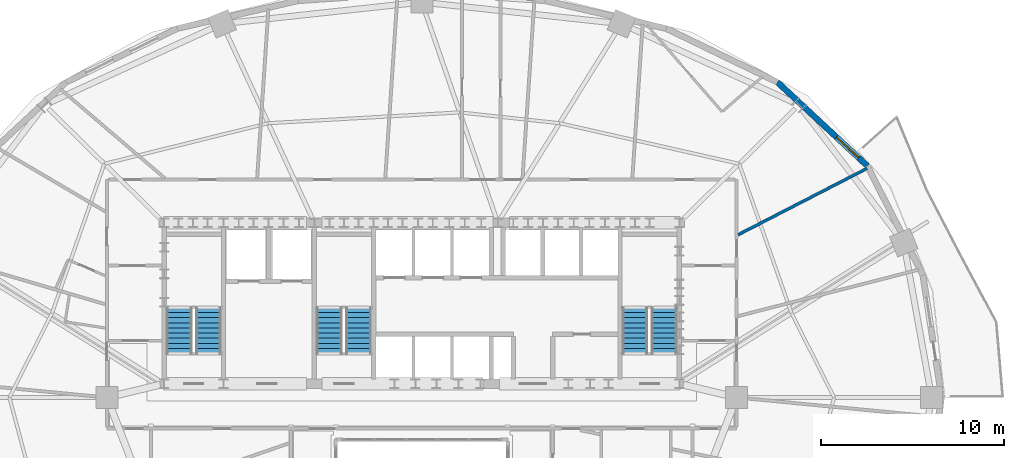
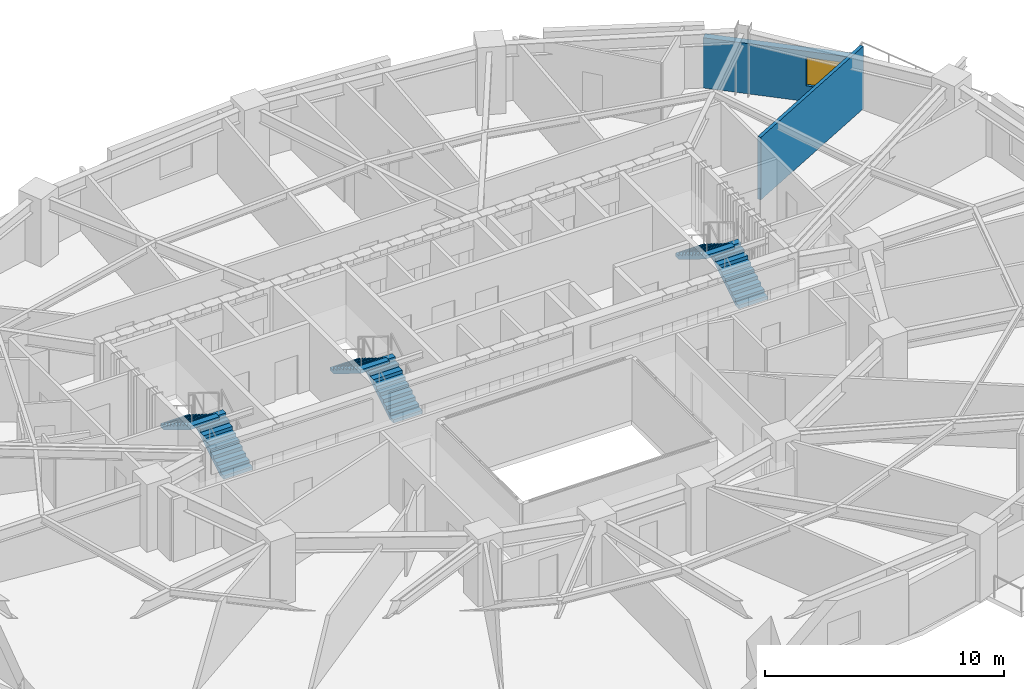
# One storey, part 11 of 14: 6 stair flights, 2 walls, 1 window, 1 opening, 3 elements without a shape of their own.
"""IFC4 building model written with IfcOpenShell, lengths in metres."""

from ifc_helpers import new_model, si_unit, direction, frame, frame_2d, origin, place, context, subcontext, project, spatial, polyline, rectangle, outline, extrude, material, layer, layer_set, type_object, element, fill, aggregate, save


model = new_model("IFC4")

# Units and contexts
model_context = context("Model", 3, precision=1e-05, world=origin(), true_north=direction((0.0, 1.0)))
body_context = subcontext(model_context, "Body", "Model", "MODEL_VIEW")
ifc_project = project(units=[si_unit("LENGTHUNIT", "METRE"), si_unit("AREAUNIT", "SQUARE_METRE"), si_unit("VOLUMEUNIT", "CUBIC_METRE"), si_unit("PLANEANGLEUNIT", "RADIAN"), si_unit("MASSUNIT", "GRAM", prefix="KILO")], contexts=[model_context])

# Site, building, storey
site_placement = place(None, origin())
site = spatial("IfcSite", under=ifc_project, at=site_placement, CompositionType="ELEMENT")
building_placement = place(site_placement, origin())
building = spatial("IfcBuilding", under=site, at=building_placement, Name="Haldorwick Loom Tower", CompositionType="ELEMENT")
storey_placement = place(building_placement, frame((0.0, 0.0, 99.050048828125)))
storey = spatial("IfcBuildingStorey", under=building, at=storey_placement, Name="L26", CompositionType="ELEMENT", Elevation=99.050048828125)

# Wall, opening, window
ifc_material_1 = material(Name="Pressed Clay Face Brick and Insulated Masonry Backup Assembly", Category="masonry")
ifc_layer_1 = layer(ifc_material_1, 0.320068359375, Name="Pressed Clay Face Brick and Insulated Masonry Backup Assembly", Category="masonry")
ifc_layer_set_1 = layer_set([ifc_layer_1], Name="Pressed Clay Face Brick and Insulated Masonry Backup Assembly")
wall_type_1 = type_object("IfcWallType", Name="ARC-WL-EXT320", PredefinedType="STANDARD", material=ifc_layer_set_1)
wall_1_placement = place(storey_placement, frame((60.338623046875, 38.655517578125, 0.0), z_axis=(0.0, 0.0, 1.0), x_axis=(-0.732137360086, 0.681157020052, 0.0)))
wall_1 = element("IfcWall", 1, at=wall_1_placement, inside=storey, type_object=wall_type_1, Name="L26 Brick Pier and Spandrel Wall 3", PredefinedType="STANDARD", context=body_context, shape_type="SweptSolid", body=[
    extrude(rectangle(XDim=6.709228515625, YDim=0.320068359375, at=frame_2d((3.3544921875, 0.0))), origin(), (0.0, 0.0, 1.0), 2.56884765625),
])
opening_placement = place(wall_1_placement, frame((0.639892578125, 0.0, 0.800048828125)))
opening = element("IfcOpeningElement", 2, at=opening_placement, cuts=wall_1, Name="Opening W-01B", PredefinedType="OPENING", context=body_context, shape_type="SweptSolid", body=[
    extrude(rectangle(XDim=1.64990234375, YDim=1.449951171875, at=frame_2d((0.824951171875, 0.72509765625))), frame((0.0, 0.169921875, 0.0), z_axis=(0.0, -1.0, 0.0), x_axis=(1.0, 0.0, 0.0)), (0.0, 0.0, 1.0), 0.340087890625),
])
ifc_material_2 = material(Name="Triple-Glazed Low-E Argon Insulated Glazing Unit", Category="glass")
window_type = type_object("IfcWindowType", Name="ARC-WIN-W165", PartitioningType="SINGLE_PANEL", PredefinedType="WINDOW", material=ifc_material_2)
window_placement = place(opening_placement, origin())
window = element("IfcWindow", 3, at=window_placement, inside=storey, type_object=window_type, Name="L26 Deep-Set Zone 7A Window 3", OverallHeight=1.449951171875, OverallWidth=1.64990234375, PartitioningType="SINGLE_PANEL", PredefinedType="WINDOW", context=body_context, shape_type="SweptSolid", body=[
    extrude(rectangle(XDim=1.64990234375, YDim=1.449951171875, at=frame_2d((0.824951171875, 0.72509765625))), frame((0.0, 0.030029296875, 0.0), z_axis=(0.0, -1.0, 0.0), x_axis=(1.0, 0.0, 0.0)), (0.0, 0.0, 1.0), 0.06005859375),
])
fill(opening, window)

# Wall
ifc_material_3 = material(Name="Fire-Rated Type X Gypsum Stud Assembly EI 60")
ifc_layer_2 = layer(ifc_material_3, 0.159912109375, Name="Fire-Rated Type X Gypsum Stud Assembly EI 60")
ifc_layer_set_2 = layer_set([ifc_layer_2], Name="Fire-Rated Type X Gypsum Stud Assembly EI 60")
wall_type_2 = type_object("IfcWallType", Name="ARC-WL-FIRE160", PredefinedType="PARTITIONING", material=ifc_layer_set_2)
wall_2_placement = place(storey_placement, frame((53.282958984375, 34.89111328125, 0.0), z_axis=(0.0, 0.0, 1.0), x_axis=(0.889233421812, 0.45745373704, 0.0)))
element("IfcWall", 4, at=wall_2_placement, inside=storey, type_object=wall_type_2, Name="L26 Suite Split Wall", PredefinedType="PARTITIONING", context=body_context, shape_type="SweptSolid", body=[
    extrude(rectangle(XDim=7.9306640625, YDim=0.159912109375, at=frame_2d((3.96533203125, 0.0))), origin(), (0.0, 0.0, 1.0), 3.195068359375),
])

# Stair, stair flights
ifc_material_4 = material(Name="Concrete C40 (40 MPa)", Category="concrete")
stair_type = type_object("IfcStairType", Name="STR-STR-CORE", PredefinedType="HALF_TURN_STAIR", material=ifc_material_4)
stair_1_placement = place(storey_placement, origin())
stair_1 = element("IfcStair", 5, at=stair_1_placement, inside=storey, type_object=stair_type, Name="L26 Exit Stair ST-01", PredefinedType="HALF_TURN_STAIR")
stair_flight_type = type_object("IfcStairFlightType", Name="STR-STF-1250", PredefinedType="STRAIGHT", material=ifc_material_4)
stair_flight_1_placement = place(storey_placement, frame((24.35009765625, 28.39990234375, 0.0), z_axis=(0.0, 0.0, 1.0), x_axis=(0.0, 1.0, 0.0)))
stair_flight_1 = element("IfcStairFlight", 6, at=stair_flight_1_placement, type_object=stair_flight_type, Name="ST-01 flight 1", NumberOfRisers=10, NumberOfTreads=9, PredefinedType="STRAIGHT", RiserHeight=0.1725, TreadLength=0.28, context=body_context, shape_type="SweptSolid", body=[
    extrude(outline(polyline([(0.0, 0.0), (0.0, 0.172607421875), (0.280029296875, 0.172607421875), (0.280029296875, 0.344970703125), (0.56005859375, 0.344970703125), (0.56005859375, 0.517578125), (0.840087890625, 0.517578125), (0.840087890625, 0.68994140625), (1.1201171875, 0.68994140625), (1.1201171875, 0.862548828125), (1.39990234375, 0.862548828125), (1.39990234375, 1.034912109375), (1.679931640625, 1.034912109375), (1.679931640625, 1.20751953125), (1.9599609375, 1.20751953125), (1.9599609375, 1.3798828125), (2.239990234375, 1.3798828125), (2.239990234375, 1.552490234375), (2.52001953125, 1.552490234375), (2.52001953125, 1.72509765625), (2.52001953125, 1.37646484375), (0.285888671875, 0.0), (0.0, 0.0)])), frame((0.0, 0.699951171875, 0.0), z_axis=(0.0, -1.0, 0.0), x_axis=(1.0, 0.0, 0.0)), (0.0, 0.0, 1.0), 1.39990234375),
])
stair_flight_2_placement = place(storey_placement, frame((22.75, 30.919921875, 1.724853515625), z_axis=(0.0, 0.0, 1.0), x_axis=(0.0, -1.0, 0.0)))
stair_flight_2 = element("IfcStairFlight", 7, at=stair_flight_2_placement, type_object=stair_flight_type, Name="ST-01 flight 2", NumberOfRisers=10, NumberOfTreads=9, PredefinedType="STRAIGHT", RiserHeight=0.1725, TreadLength=0.28, context=body_context, shape_type="SweptSolid", body=[
    extrude(outline(polyline([(0.0, 0.0), (0.0, 0.172607421875), (0.280029296875, 0.172607421875), (0.280029296875, 0.344970703125), (0.56005859375, 0.344970703125), (0.56005859375, 0.517578125), (0.840087890625, 0.517578125), (0.840087890625, 0.68994140625), (1.1201171875, 0.68994140625), (1.1201171875, 0.862548828125), (1.39990234375, 0.862548828125), (1.39990234375, 1.034912109375), (1.679931640625, 1.034912109375), (1.679931640625, 1.20751953125), (1.9599609375, 1.20751953125), (1.9599609375, 1.3798828125), (2.239990234375, 1.3798828125), (2.239990234375, 1.552490234375), (2.52001953125, 1.552490234375), (2.52001953125, 1.72509765625), (2.52001953125, 1.37646484375), (0.285888671875, 0.0), (0.0, 0.0)])), frame((0.0, 0.699951171875, 0.0), z_axis=(0.0, -1.0, 0.0), x_axis=(1.0, 0.0, 0.0)), (0.0, 0.0, 1.0), 1.39990234375),
])
aggregate(stair_1, [stair_flight_1, stair_flight_2])

stair_2_placement = place(storey_placement, origin())
stair_2 = element("IfcStair", 8, at=stair_2_placement, inside=storey, type_object=stair_type, Name="L26 Exit Stair ST-02", PredefinedType="HALF_TURN_STAIR")
stair_flight_3_placement = place(storey_placement, frame((49.25, 28.39990234375, 0.0), z_axis=(0.0, 0.0, 1.0), x_axis=(0.0, 1.0, 0.0)))
stair_flight_3 = element("IfcStairFlight", 9, at=stair_flight_3_placement, type_object=stair_flight_type, Name="ST-02 flight 1", NumberOfRisers=10, NumberOfTreads=9, PredefinedType="STRAIGHT", RiserHeight=0.1725, TreadLength=0.28, context=body_context, shape_type="SweptSolid", body=[
    extrude(outline(polyline([(0.0, 0.0), (0.0, 0.172607421875), (0.280029296875, 0.172607421875), (0.280029296875, 0.344970703125), (0.56005859375, 0.344970703125), (0.56005859375, 0.517578125), (0.840087890625, 0.517578125), (0.840087890625, 0.68994140625), (1.1201171875, 0.68994140625), (1.1201171875, 0.862548828125), (1.39990234375, 0.862548828125), (1.39990234375, 1.034912109375), (1.679931640625, 1.034912109375), (1.679931640625, 1.20751953125), (1.9599609375, 1.20751953125), (1.9599609375, 1.3798828125), (2.239990234375, 1.3798828125), (2.239990234375, 1.552490234375), (2.52001953125, 1.552490234375), (2.52001953125, 1.72509765625), (2.52001953125, 1.37646484375), (0.285888671875, 0.0), (0.0, 0.0)])), frame((0.0, 0.699951171875, 0.0), z_axis=(0.0, -1.0, 0.0), x_axis=(1.0, 0.0, 0.0)), (0.0, 0.0, 1.0), 1.39990234375),
])
stair_flight_4_placement = place(storey_placement, frame((47.64990234375, 30.919921875, 1.724853515625), z_axis=(0.0, 0.0, 1.0), x_axis=(0.0, -1.0, 0.0)))
stair_flight_4 = element("IfcStairFlight", 10, at=stair_flight_4_placement, type_object=stair_flight_type, Name="ST-02 flight 2", NumberOfRisers=10, NumberOfTreads=9, PredefinedType="STRAIGHT", RiserHeight=0.1725, TreadLength=0.28, context=body_context, shape_type="SweptSolid", body=[
    extrude(outline(polyline([(0.0, 0.0), (0.0, 0.172607421875), (0.280029296875, 0.172607421875), (0.280029296875, 0.344970703125), (0.56005859375, 0.344970703125), (0.56005859375, 0.517578125), (0.840087890625, 0.517578125), (0.840087890625, 0.68994140625), (1.1201171875, 0.68994140625), (1.1201171875, 0.862548828125), (1.39990234375, 0.862548828125), (1.39990234375, 1.034912109375), (1.679931640625, 1.034912109375), (1.679931640625, 1.20751953125), (1.9599609375, 1.20751953125), (1.9599609375, 1.3798828125), (2.239990234375, 1.3798828125), (2.239990234375, 1.552490234375), (2.52001953125, 1.552490234375), (2.52001953125, 1.72509765625), (2.52001953125, 1.37646484375), (0.285888671875, 0.0), (0.0, 0.0)])), frame((0.0, 0.699951171875, 0.0), z_axis=(0.0, -1.0, 0.0), x_axis=(1.0, 0.0, 0.0)), (0.0, 0.0, 1.0), 1.39990234375),
])
aggregate(stair_2, [stair_flight_3, stair_flight_4])

stair_3_placement = place(storey_placement, origin())
stair_3 = element("IfcStair", 11, at=stair_3_placement, inside=storey, type_object=stair_type, Name="L26 Exit Stair ST-03", PredefinedType="HALF_TURN_STAIR")
stair_flight_5_placement = place(storey_placement, frame((32.550048828125, 28.39990234375, 0.0), z_axis=(0.0, 0.0, 1.0), x_axis=(0.0, 1.0, 0.0)))
stair_flight_5 = element("IfcStairFlight", 12, at=stair_flight_5_placement, type_object=stair_flight_type, Name="ST-03 flight 1", NumberOfRisers=10, NumberOfTreads=9, PredefinedType="STRAIGHT", RiserHeight=0.1725, TreadLength=0.28, context=body_context, shape_type="SweptSolid", body=[
    extrude(outline(polyline([(0.0, 0.0), (0.0, 0.172607421875), (0.280029296875, 0.172607421875), (0.280029296875, 0.344970703125), (0.56005859375, 0.344970703125), (0.56005859375, 0.517578125), (0.840087890625, 0.517578125), (0.840087890625, 0.68994140625), (1.1201171875, 0.68994140625), (1.1201171875, 0.862548828125), (1.39990234375, 0.862548828125), (1.39990234375, 1.034912109375), (1.679931640625, 1.034912109375), (1.679931640625, 1.20751953125), (1.9599609375, 1.20751953125), (1.9599609375, 1.3798828125), (2.239990234375, 1.3798828125), (2.239990234375, 1.552490234375), (2.52001953125, 1.552490234375), (2.52001953125, 1.72509765625), (2.52001953125, 1.37646484375), (0.285888671875, 0.0), (0.0, 0.0)])), frame((0.0, 0.699951171875, 0.0), z_axis=(0.0, -1.0, 0.0), x_axis=(1.0, 0.0, 0.0)), (0.0, 0.0, 1.0), 1.39990234375),
])
stair_flight_6_placement = place(storey_placement, frame((30.949951171875, 30.919921875, 1.724853515625), z_axis=(0.0, 0.0, 1.0), x_axis=(0.0, -1.0, 0.0)))
stair_flight_6 = element("IfcStairFlight", 13, at=stair_flight_6_placement, type_object=stair_flight_type, Name="ST-03 flight 2", NumberOfRisers=10, NumberOfTreads=9, PredefinedType="STRAIGHT", RiserHeight=0.1725, TreadLength=0.28, context=body_context, shape_type="SweptSolid", body=[
    extrude(outline(polyline([(0.0, 0.0), (0.0, 0.172607421875), (0.280029296875, 0.172607421875), (0.280029296875, 0.344970703125), (0.56005859375, 0.344970703125), (0.56005859375, 0.517578125), (0.840087890625, 0.517578125), (0.840087890625, 0.68994140625), (1.1201171875, 0.68994140625), (1.1201171875, 0.862548828125), (1.39990234375, 0.862548828125), (1.39990234375, 1.034912109375), (1.679931640625, 1.034912109375), (1.679931640625, 1.20751953125), (1.9599609375, 1.20751953125), (1.9599609375, 1.3798828125), (2.239990234375, 1.3798828125), (2.239990234375, 1.552490234375), (2.52001953125, 1.552490234375), (2.52001953125, 1.72509765625), (2.52001953125, 1.37646484375), (0.285888671875, 0.0), (0.0, 0.0)])), frame((0.0, 0.699951171875, 0.0), z_axis=(0.0, -1.0, 0.0), x_axis=(1.0, 0.0, 0.0)), (0.0, 0.0, 1.0), 1.39990234375),
])
aggregate(stair_3, [stair_flight_5, stair_flight_6])

save(model, "model.ifc")
